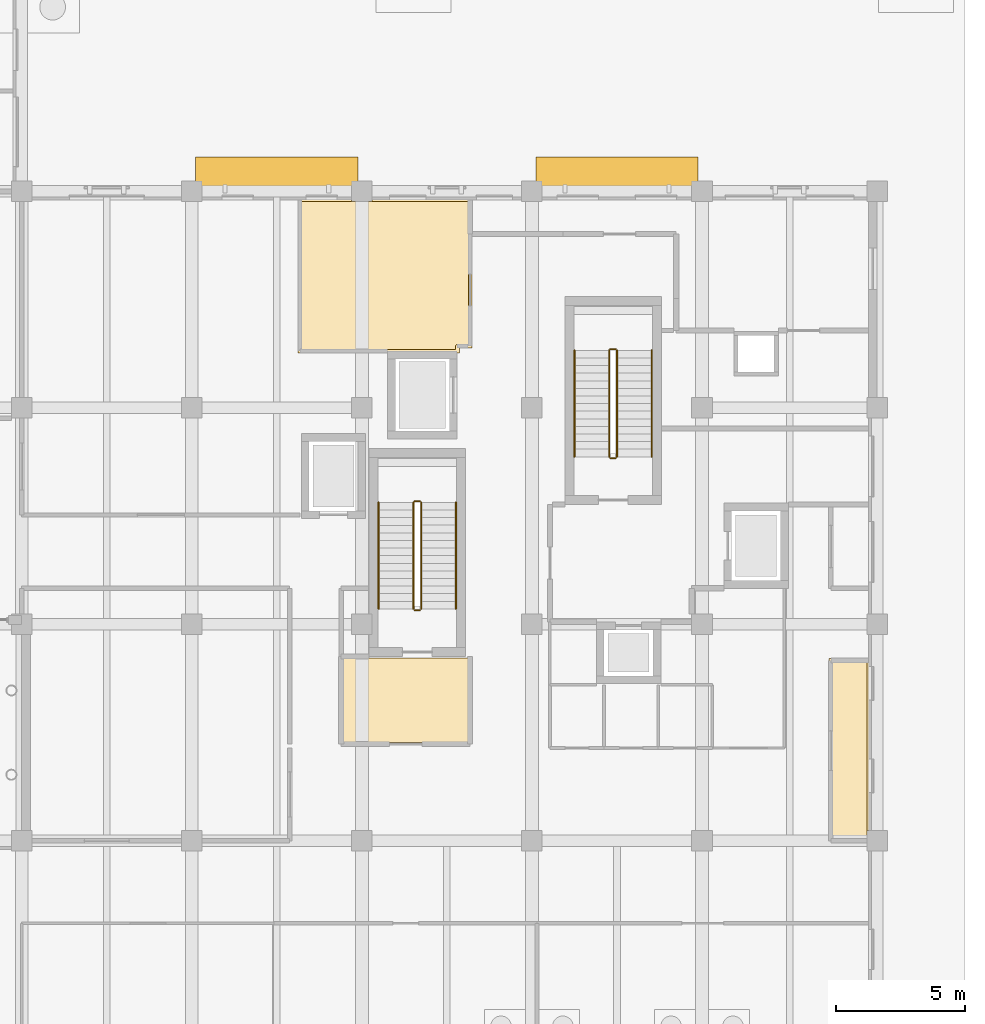
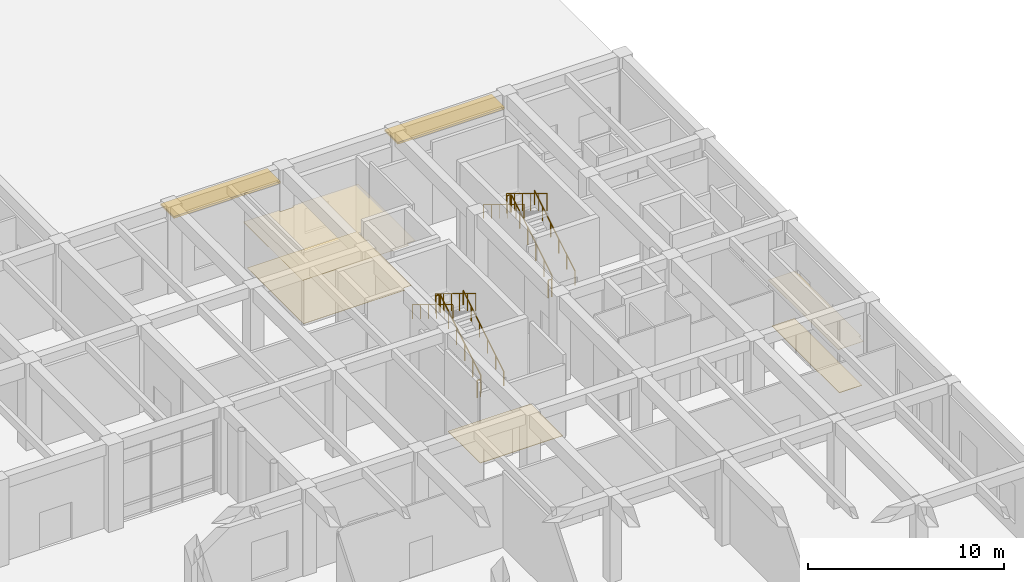
# One storey, part 80 of 82: 12 railings, 5 coverings, 2 shading devices.
"""IFC4 building model written with IfcOpenShell, lengths in metres."""

from ifc_helpers import new_model, si_unit, direction, frame, origin, origin_2d, place, context, subcontext, project, spatial, polyline, rectangle, circle, outline, extrude, material, layer, layer_set, type_object, element, save


model = new_model("IFC4")

# Units and contexts
model_context = context("Model", 3, precision=1e-05, world=origin(), true_north=direction((0.0, 1.0)))
body_context = subcontext(model_context, "Body", "Model", "MODEL_VIEW")
ifc_project = project(units=[si_unit("LENGTHUNIT", "METRE"), si_unit("AREAUNIT", "SQUARE_METRE"), si_unit("VOLUMEUNIT", "CUBIC_METRE"), si_unit("PLANEANGLEUNIT", "RADIAN"), si_unit("MASSUNIT", "GRAM", prefix="KILO")], contexts=[model_context])

# Site, building, storey
site_placement = place(None, origin())
site = spatial("IfcSite", under=ifc_project, at=site_placement, CompositionType="ELEMENT")
building_placement = place(site_placement, origin())
building = spatial("IfcBuilding", under=site, at=building_placement, Name="Kolvaren Faculty of Natural Sciences", CompositionType="ELEMENT")
storey_placement = place(building_placement, origin())
storey = spatial("IfcBuildingStorey", under=building, at=storey_placement, Name="L00", CompositionType="ELEMENT", Elevation=0.0)

# Coverings
ifc_material_1 = material(Name="Perforated mineral-fibre acoustic suspended ceiling tile")
ifc_layer_1 = layer(ifc_material_1, 0.02490234375)
ifc_layer_set_1 = layer_set([ifc_layer_1], Name="Perforated mineral-fibre acoustic suspended ceiling tile")
covering_type_1 = type_object("IfcCoveringType", Name="AcousticSuspendedCeiling_25", PredefinedType="CEILING", material=ifc_layer_set_1)
covering_1_placement = place(storey_placement, frame((0.0, 0.0, 2.824951171875)))
element("IfcCovering", 1, at=covering_1_placement, inside=storey, type_object=covering_type_1, Name="L00 Campus Emergency Store acoustic ceiling", PredefinedType="CEILING", context=body_context, shape_type="SweptSolid", body=[
    extrude(outline(polyline([(171.739990234375, 59.39990234375), (171.60009765625, 59.39990234375), (171.60009765625, 58.919921875), (170.1201171875, 58.919921875), (170.1201171875, 66.080078125), (171.739990234375, 66.080078125), (171.739990234375, 59.39990234375)])), origin(), (0.0, 0.0, 1.0), 0.025146484375),
])
covering_2_placement = place(storey_placement, frame((0.0, 0.0, 2.824951171875)))
element("IfcCovering", 2, at=covering_2_placement, inside=storey, type_object=covering_type_1, Name="L00 Analytical Balance Room acoustic ceiling", PredefinedType="CEILING", context=body_context, shape_type="SweptSolid", body=[
    extrude(outline(polyline([(151.60009765625, 83.93994140625), (151.60009765625, 83.800048828125), (152.39990234375, 83.800048828125), (152.39990234375, 83.93994140625), (156.280029296875, 83.93994140625), (156.280029296875, 78.1201171875), (155.780029296875, 78.1201171875), (155.780029296875, 77.919921875), (149.52001953125, 77.919921875), (149.52001953125, 83.93994140625), (151.60009765625, 83.93994140625)])), origin(), (0.0, 0.0, 1.0), 0.025146484375),
])

# Shading devices
ifc_material_2 = material(Name="Precast concrete C35/45", Category="concrete")
ifc_layer_2 = layer(ifc_material_2, 0.1201171875)
ifc_layer_set_2 = layer_set([ifc_layer_2], Name="Precast concrete C35/45")
shading_device_type = type_object("IfcShadingDeviceType", Name="ChhajjaSolarHood_1350", PredefinedType="AWNING", material=ifc_layer_set_2)
for number, where, z_axis, x_axis, name in (
    (3, (148.699951171875, 84.85498046875, 4.294921875), (0.0, 0.0, 1.0), (1.0, 0.0, 0.0), "L00 precast sandstone chhajja solar hood 21"),
    (4, (161.89990234375, 84.85498046875, 4.294921875), (0.0, 0.0, 1.0), (1.0, 0.0, 0.0), "L00 precast sandstone chhajja solar hood 22"),
):
    element("IfcShadingDevice", number, at=place(storey_placement, frame(where, z_axis=z_axis, x_axis=x_axis)), inside=storey, type_object=shading_device_type, Name=name, PredefinedType="AWNING", context=body_context, shape_type="SweptSolid", body=[
        extrude(rectangle(XDim=6.300048828125, YDim=1.35009765625, at=origin_2d()), origin(), (0.0, 0.0, 1.0), 0.1201171875),
    ])

# Covering
ifc_material_3 = material(Name="Seamless chemical-resistant laboratory epoxy resin flooring")
ifc_layer_3 = layer(ifc_material_3, 0.02001953125)
ifc_layer_set_3 = layer_set([ifc_layer_3], Name="Seamless chemical-resistant laboratory epoxy resin flooring")
covering_type_2 = type_object("IfcCoveringType", Name="LabEpoxyFloorFinish_20", PredefinedType="FLOORING", material=ifc_layer_set_3)
covering_3_placement = place(storey_placement, origin())
element("IfcCovering", 5, at=covering_3_placement, inside=storey, type_object=covering_type_2, Name="L00 Analytical Balance Room floor finish", PredefinedType="FLOORING", context=body_context, shape_type="SweptSolid", body=[
    extrude(outline(polyline([(149.659912109375, 83.800048828125), (151.60009765625, 83.800048828125), (152.39990234375, 83.800048828125), (156.139892578125, 83.800048828125), (156.139892578125, 78.260009765625), (155.699951171875, 78.260009765625), (155.694091796875, 78.259765625), (155.688232421875, 78.2587890625), (155.6826171875, 78.25732421875), (155.677001953125, 78.25537109375), (155.671630859375, 78.2529296875), (155.666748046875, 78.25), (155.661865234375, 78.246337890625), (155.65771484375, 78.242431640625), (155.653564453125, 78.238037109375), (155.650146484375, 78.2333984375), (155.647216796875, 78.228271484375), (155.64453125, 78.222900390625), (155.642578125, 78.21728515625), (155.64111328125, 78.211669921875), (155.640380859375, 78.205810546875), (155.639892578125, 78.199951171875), (155.639892578125, 78.06005859375), (149.659912109375, 78.06005859375), (149.659912109375, 83.800048828125)])), origin(), (0.0, 0.0, 1.0), 0.02001953125),
])

# Railings
ifc_material_4 = material(Name="Structural steel EN 10210-1 S355J2H", Category="steel")
ifc_layer_4 = layer(ifc_material_4, 0.048095703125)
ifc_layer_set_4 = layer_set([ifc_layer_4], Name="Structural steel EN 10210-1 S355J2H")
railing_type_1 = type_object("IfcRailingType", Name="StairPitchHandrail_920", PredefinedType="HANDRAIL", material=ifc_layer_set_4)
railing_1_placement = place(storey_placement, frame((163.25, 73.89990234375, 0.179931640625)))
element("IfcRailing", 6, at=railing_1_placement, inside=storey, type_object=railing_type_1, Name="L00 ST-1 stair handrail 1", PredefinedType="HANDRAIL", context=body_context, shape_type="SweptSolid", body=[
    extrude(circle(Radius=0.02392578125, at=origin_2d()), frame((0.0, 0.0, 0.8759765625), z_axis=(0.0, 0.853644604182, 0.520855920338), x_axis=(-1.0, 0.0, 0.0)), (0.0, 0.0, 1.0), 4.838134765625),
    extrude(circle(Radius=0.02099609375, at=origin_2d()), origin(), (0.0, 0.0, 1.0), 0.851806640625),
    extrude(circle(Radius=0.02099609375, at=origin_2d()), frame((0.0, 0.825927734375, 0.50390625)), (0.0, 0.0, 1.0), 0.851806640625),
    extrude(circle(Radius=0.02099609375, at=origin_2d()), frame((0.0, 1.652099609375, 1.008056640625)), (0.0, 0.0, 1.0), 0.851806640625),
    extrude(circle(Radius=0.02099609375, at=origin_2d()), frame((0.0, 2.47802734375, 1.511962890625)), (0.0, 0.0, 1.0), 0.851806640625),
    extrude(circle(Radius=0.02099609375, at=origin_2d()), frame((0.0, 3.30419921875, 2.01611328125)), (0.0, 0.0, 1.0), 0.851806640625),
    extrude(circle(Radius=0.02099609375, at=origin_2d()), frame((0.0, 4.130126953125, 2.52001953125)), (0.0, 0.0, 1.0), 0.851806640625),
])
railing_2_placement = place(storey_placement, frame((160.25, 78.030029296875, 2.8798828125)))
element("IfcRailing", 7, at=railing_2_placement, inside=storey, type_object=railing_type_1, Name="L00 ST-1 stair handrail 2", PredefinedType="HANDRAIL", context=body_context, shape_type="SweptSolid", body=[
    extrude(circle(Radius=0.02392578125, at=origin_2d()), frame((0.0, 0.0, 0.8759765625), z_axis=(0.0, -0.853644604182, 0.520855920338), x_axis=(1.0, 0.0, 0.0)), (0.0, 0.0, 1.0), 4.838134765625),
    extrude(circle(Radius=0.02099609375, at=origin_2d()), origin(), (0.0, 0.0, 1.0), 0.851806640625),
    extrude(circle(Radius=0.02099609375, at=origin_2d()), frame((0.0, -0.825927734375, 0.50390625)), (0.0, 0.0, 1.0), 0.851806640625),
    extrude(circle(Radius=0.02099609375, at=origin_2d()), frame((0.0, -1.652099609375, 1.008056640625)), (0.0, 0.0, 1.0), 0.851806640625),
    extrude(circle(Radius=0.02099609375, at=origin_2d()), frame((0.0, -2.47802734375, 1.511962890625)), (0.0, 0.0, 1.0), 0.851806640625),
    extrude(circle(Radius=0.02099609375, at=origin_2d()), frame((0.0, -3.30419921875, 2.01611328125)), (0.0, 0.0, 1.0), 0.851806640625),
    extrude(circle(Radius=0.02099609375, at=origin_2d()), frame((0.0, -4.130126953125, 2.52001953125)), (0.0, 0.0, 1.0), 0.851806640625),
])
railing_3_placement = place(storey_placement, frame((155.64990234375, 68.0, 0.179931640625)))
element("IfcRailing", 8, at=railing_3_placement, inside=storey, type_object=railing_type_1, Name="L00 ST-2 stair handrail 1", PredefinedType="HANDRAIL", context=body_context, shape_type="SweptSolid", body=[
    extrude(circle(Radius=0.02392578125, at=origin_2d()), frame((0.0, 0.0, 0.8759765625), z_axis=(0.0, 0.853630913754, 0.520878357281), x_axis=(-1.0, 0.0, 0.0)), (0.0, 0.0, 1.0), 4.838134765625),
    extrude(circle(Radius=0.02099609375, at=origin_2d()), origin(), (0.0, 0.0, 1.0), 0.851806640625),
    extrude(circle(Radius=0.02099609375, at=origin_2d()), frame((0.0, 0.825927734375, 0.50390625)), (0.0, 0.0, 1.0), 0.851806640625),
    extrude(circle(Radius=0.02099609375, at=origin_2d()), frame((0.0, 1.65185546875, 1.008056640625)), (0.0, 0.0, 1.0), 0.851806640625),
    extrude(circle(Radius=0.02099609375, at=origin_2d()), frame((0.0, 2.47802734375, 1.511962890625)), (0.0, 0.0, 1.0), 0.851806640625),
    extrude(circle(Radius=0.02099609375, at=origin_2d()), frame((0.0, 3.303955078125, 2.01611328125)), (0.0, 0.0, 1.0), 0.851806640625),
    extrude(circle(Radius=0.02099609375, at=origin_2d()), frame((0.0, 4.1298828125, 2.52001953125)), (0.0, 0.0, 1.0), 0.851806640625),
])
railing_4_placement = place(storey_placement, frame((152.64990234375, 72.1298828125, 2.8798828125)))
element("IfcRailing", 9, at=railing_4_placement, inside=storey, type_object=railing_type_1, Name="L00 ST-2 stair handrail 2", PredefinedType="HANDRAIL", context=body_context, shape_type="SweptSolid", body=[
    extrude(circle(Radius=0.02392578125, at=origin_2d()), frame((0.0, 0.0, 0.8759765625), z_axis=(0.0, -0.853630913754, 0.520878357281), x_axis=(1.0, 0.0, 0.0)), (0.0, 0.0, 1.0), 4.838134765625),
    extrude(circle(Radius=0.02099609375, at=origin_2d()), origin(), (0.0, 0.0, 1.0), 0.851806640625),
    extrude(circle(Radius=0.02099609375, at=origin_2d()), frame((0.0, -0.825927734375, 0.50390625)), (0.0, 0.0, 1.0), 0.851806640625),
    extrude(circle(Radius=0.02099609375, at=origin_2d()), frame((0.0, -1.65185546875, 1.008056640625)), (0.0, 0.0, 1.0), 0.851806640625),
    extrude(circle(Radius=0.02099609375, at=origin_2d()), frame((0.0, -2.47802734375, 1.511962890625)), (0.0, 0.0, 1.0), 0.851806640625),
    extrude(circle(Radius=0.02099609375, at=origin_2d()), frame((0.0, -3.303955078125, 2.01611328125)), (0.0, 0.0, 1.0), 0.851806640625),
    extrude(circle(Radius=0.02099609375, at=origin_2d()), frame((0.0, -4.1298828125, 2.52001953125)), (0.0, 0.0, 1.0), 0.851806640625),
])
ifc_layer_5 = layer(ifc_material_4, 0.048095703125)
ifc_layer_set_5 = layer_set([ifc_layer_5], Name="Structural steel EN 10210-1 S355J2H")
railing_type_2 = type_object("IfcRailingType", Name="StairWellGuard_1100", PredefinedType="BALUSTRADE", material=ifc_layer_set_5)
railing_5_placement = place(storey_placement, frame((161.89990234375, 73.89990234375, 0.179931640625)))
element("IfcRailing", 10, at=railing_5_placement, inside=storey, type_object=railing_type_2, Name="L00 ST-1 stair guard 1", PredefinedType="BALUSTRADE", context=body_context, shape_type="SweptSolid", body=[
    extrude(circle(Radius=0.02392578125, at=origin_2d()), frame((0.0, 0.0, 1.076171875), z_axis=(0.0, 0.853644604182, 0.520855920338), x_axis=(-1.0, 0.0, 0.0)), (0.0, 0.0, 1.0), 4.838134765625),
    extrude(circle(Radius=0.02099609375, at=origin_2d()), origin(), (0.0, 0.0, 1.0), 1.052001953125),
    extrude(circle(Radius=0.02099609375, at=origin_2d()), frame((0.0, 0.825927734375, 0.50390625)), (0.0, 0.0, 1.0), 1.052001953125),
    extrude(circle(Radius=0.02099609375, at=origin_2d()), frame((0.0, 1.652099609375, 1.008056640625)), (0.0, 0.0, 1.0), 1.052001953125),
    extrude(circle(Radius=0.02099609375, at=origin_2d()), frame((0.0, 2.47802734375, 1.511962890625)), (0.0, 0.0, 1.0), 1.052001953125),
    extrude(circle(Radius=0.02099609375, at=origin_2d()), frame((0.0, 3.30419921875, 2.01611328125)), (0.0, 0.0, 1.0), 1.052001953125),
    extrude(circle(Radius=0.02099609375, at=origin_2d()), frame((0.0, 4.130126953125, 2.52001953125)), (0.0, 0.0, 1.0), 1.052001953125),
])
railing_6_placement = place(storey_placement, frame((161.85009765625, 78.080078125, 2.699951171875)))
element("IfcRailing", 11, at=railing_6_placement, inside=storey, type_object=railing_type_2, Name="L00 ST-1 stair guard 2", PredefinedType="BALUSTRADE", context=body_context, shape_type="SweptSolid", body=[
    extrude(circle(Radius=0.02392578125, at=origin_2d()), frame((0.0, 0.0, 1.076171875), z_axis=(-1.0, 0.0, 0.0), x_axis=(0.0, -1.0, 0.0)), (0.0, 0.0, 1.0), 0.2001953125),
    extrude(circle(Radius=0.02099609375, at=origin_2d()), origin(), (0.0, 0.0, 1.0), 1.052001953125),
    extrude(circle(Radius=0.02099609375, at=origin_2d()), frame((-0.2001953125, 0.0, 0.0)), (0.0, 0.0, 1.0), 1.052001953125),
])
railing_7_placement = place(storey_placement, frame((161.60009765625, 78.030029296875, 2.8798828125)))
element("IfcRailing", 12, at=railing_7_placement, inside=storey, type_object=railing_type_2, Name="L00 ST-1 stair guard 3", PredefinedType="BALUSTRADE", context=body_context, shape_type="SweptSolid", body=[
    extrude(circle(Radius=0.02392578125, at=origin_2d()), frame((0.0, 0.0, 1.076171875), z_axis=(0.0, -0.853644604182, 0.520855920338), x_axis=(1.0, 0.0, 0.0)), (0.0, 0.0, 1.0), 4.838134765625),
    extrude(circle(Radius=0.02099609375, at=origin_2d()), origin(), (0.0, 0.0, 1.0), 1.052001953125),
    extrude(circle(Radius=0.02099609375, at=origin_2d()), frame((0.0, -0.825927734375, 0.50390625)), (0.0, 0.0, 1.0), 1.052001953125),
    extrude(circle(Radius=0.02099609375, at=origin_2d()), frame((0.0, -1.652099609375, 1.008056640625)), (0.0, 0.0, 1.0), 1.052001953125),
    extrude(circle(Radius=0.02099609375, at=origin_2d()), frame((0.0, -2.47802734375, 1.511962890625)), (0.0, 0.0, 1.0), 1.052001953125),
    extrude(circle(Radius=0.02099609375, at=origin_2d()), frame((0.0, -3.30419921875, 2.01611328125)), (0.0, 0.0, 1.0), 1.052001953125),
    extrude(circle(Radius=0.02099609375, at=origin_2d()), frame((0.0, -4.130126953125, 2.52001953125)), (0.0, 0.0, 1.0), 1.052001953125),
])
railing_8_placement = place(storey_placement, frame((161.85009765625, 73.85009765625, 0.0)))
element("IfcRailing", 13, at=railing_8_placement, inside=storey, type_object=railing_type_2, Name="L00 ST-1 stair guard 4", PredefinedType="BALUSTRADE", context=body_context, shape_type="SweptSolid", body=[
    extrude(circle(Radius=0.02392578125, at=origin_2d()), frame((0.0, 0.0, 1.076171875), z_axis=(-1.0, 0.0, 0.0), x_axis=(0.0, -1.0, 0.0)), (0.0, 0.0, 1.0), 0.2001953125),
    extrude(circle(Radius=0.02099609375, at=origin_2d()), origin(), (0.0, 0.0, 1.0), 1.052001953125),
    extrude(circle(Radius=0.02099609375, at=origin_2d()), frame((-0.2001953125, 0.0, 0.0)), (0.0, 0.0, 1.0), 1.052001953125),
])
railing_9_placement = place(storey_placement, frame((154.300048828125, 68.0, 0.179931640625)))
element("IfcRailing", 14, at=railing_9_placement, inside=storey, type_object=railing_type_2, Name="L00 ST-2 stair guard 1", PredefinedType="BALUSTRADE", context=body_context, shape_type="SweptSolid", body=[
    extrude(circle(Radius=0.02392578125, at=origin_2d()), frame((0.0, 0.0, 1.076171875), z_axis=(0.0, 0.853630913754, 0.520878357281), x_axis=(-1.0, 0.0, 0.0)), (0.0, 0.0, 1.0), 4.838134765625),
    extrude(circle(Radius=0.02099609375, at=origin_2d()), origin(), (0.0, 0.0, 1.0), 1.052001953125),
    extrude(circle(Radius=0.02099609375, at=origin_2d()), frame((0.0, 0.825927734375, 0.50390625)), (0.0, 0.0, 1.0), 1.052001953125),
    extrude(circle(Radius=0.02099609375, at=origin_2d()), frame((0.0, 1.65185546875, 1.008056640625)), (0.0, 0.0, 1.0), 1.052001953125),
    extrude(circle(Radius=0.02099609375, at=origin_2d()), frame((0.0, 2.47802734375, 1.511962890625)), (0.0, 0.0, 1.0), 1.052001953125),
    extrude(circle(Radius=0.02099609375, at=origin_2d()), frame((0.0, 3.303955078125, 2.01611328125)), (0.0, 0.0, 1.0), 1.052001953125),
    extrude(circle(Radius=0.02099609375, at=origin_2d()), frame((0.0, 4.1298828125, 2.52001953125)), (0.0, 0.0, 1.0), 1.052001953125),
])
railing_10_placement = place(storey_placement, frame((154.25, 72.179931640625, 2.699951171875)))
element("IfcRailing", 15, at=railing_10_placement, inside=storey, type_object=railing_type_2, Name="L00 ST-2 stair guard 2", PredefinedType="BALUSTRADE", context=body_context, shape_type="SweptSolid", body=[
    extrude(circle(Radius=0.02392578125, at=origin_2d()), frame((0.0, 0.0, 1.076171875), z_axis=(-1.0, 0.0, 0.0), x_axis=(0.0, -1.0, 0.0)), (0.0, 0.0, 1.0), 0.199951171875),
    extrude(circle(Radius=0.02099609375, at=origin_2d()), origin(), (0.0, 0.0, 1.0), 1.052001953125),
    extrude(circle(Radius=0.02099609375, at=origin_2d()), frame((-0.199951171875, 0.0, 0.0)), (0.0, 0.0, 1.0), 1.052001953125),
])
railing_11_placement = place(storey_placement, frame((154.0, 72.1298828125, 2.8798828125)))
element("IfcRailing", 16, at=railing_11_placement, inside=storey, type_object=railing_type_2, Name="L00 ST-2 stair guard 3", PredefinedType="BALUSTRADE", context=body_context, shape_type="SweptSolid", body=[
    extrude(circle(Radius=0.02392578125, at=origin_2d()), frame((0.0, 0.0, 1.076171875), z_axis=(0.0, -0.853630913754, 0.520878357281), x_axis=(1.0, 0.0, 0.0)), (0.0, 0.0, 1.0), 4.838134765625),
    extrude(circle(Radius=0.02099609375, at=origin_2d()), origin(), (0.0, 0.0, 1.0), 1.052001953125),
    extrude(circle(Radius=0.02099609375, at=origin_2d()), frame((0.0, -0.825927734375, 0.50390625)), (0.0, 0.0, 1.0), 1.052001953125),
    extrude(circle(Radius=0.02099609375, at=origin_2d()), frame((0.0, -1.65185546875, 1.008056640625)), (0.0, 0.0, 1.0), 1.052001953125),
    extrude(circle(Radius=0.02099609375, at=origin_2d()), frame((0.0, -2.47802734375, 1.511962890625)), (0.0, 0.0, 1.0), 1.052001953125),
    extrude(circle(Radius=0.02099609375, at=origin_2d()), frame((0.0, -3.303955078125, 2.01611328125)), (0.0, 0.0, 1.0), 1.052001953125),
    extrude(circle(Radius=0.02099609375, at=origin_2d()), frame((0.0, -4.1298828125, 2.52001953125)), (0.0, 0.0, 1.0), 1.052001953125),
])
railing_12_placement = place(storey_placement, frame((154.25, 67.949951171875, 0.0)))
element("IfcRailing", 17, at=railing_12_placement, inside=storey, type_object=railing_type_2, Name="L00 ST-2 stair guard 4", PredefinedType="BALUSTRADE", context=body_context, shape_type="SweptSolid", body=[
    extrude(circle(Radius=0.02392578125, at=origin_2d()), frame((0.0, 0.0, 1.076171875), z_axis=(-1.0, 0.0, 0.0), x_axis=(0.0, -1.0, 0.0)), (0.0, 0.0, 1.0), 0.199951171875),
    extrude(circle(Radius=0.02099609375, at=origin_2d()), origin(), (0.0, 0.0, 1.0), 1.052001953125),
    extrude(circle(Radius=0.02099609375, at=origin_2d()), frame((-0.199951171875, 0.0, 0.0)), (0.0, 0.0, 1.0), 1.052001953125),
])

# Coverings
ifc_material_5 = material(Name="Polished Uruguayan grey granite terrazzo flooring", Category="masonry")
ifc_layer_6 = layer(ifc_material_5, 0.030029296875)
ifc_layer_set_6 = layer_set([ifc_layer_6], Name="Polished Uruguayan grey granite terrazzo flooring")
covering_type_3 = type_object("IfcCoveringType", Name="TerrazzoFloorFinish_30", PredefinedType="FLOORING", material=ifc_layer_set_6)
covering_4_placement = place(storey_placement, origin())
element("IfcCovering", 18, at=covering_4_placement, inside=storey, type_object=covering_type_3, Name="L00 L00 Firefighting Rescue Lobby CORE-C2 floor finish", PredefinedType="FLOORING", context=body_context, shape_type="SweptSolid", body=[
    extrude(outline(polyline([(156.139892578125, 66.090087890625), (156.139892578125, 62.81005859375), (151.260009765625, 62.81005859375), (151.260009765625, 66.090087890625), (156.139892578125, 66.090087890625)])), origin(), (0.0, 0.0, 1.0), 0.030029296875),
])
covering_5_placement = place(storey_placement, origin())
element("IfcCovering", 19, at=covering_5_placement, inside=storey, type_object=covering_type_3, Name="L00 Campus Emergency Store floor finish", PredefinedType="FLOORING", context=body_context, shape_type="SweptSolid", body=[
    extrude(outline(polyline([(171.60009765625, 65.93994140625), (171.60009765625, 59.39990234375), (171.60009765625, 59.06005859375), (170.260009765625, 59.06005859375), (170.260009765625, 65.93994140625), (171.60009765625, 65.93994140625)])), origin(), (0.0, 0.0, 1.0), 0.030029296875),
])

save(model, "model.ifc")
